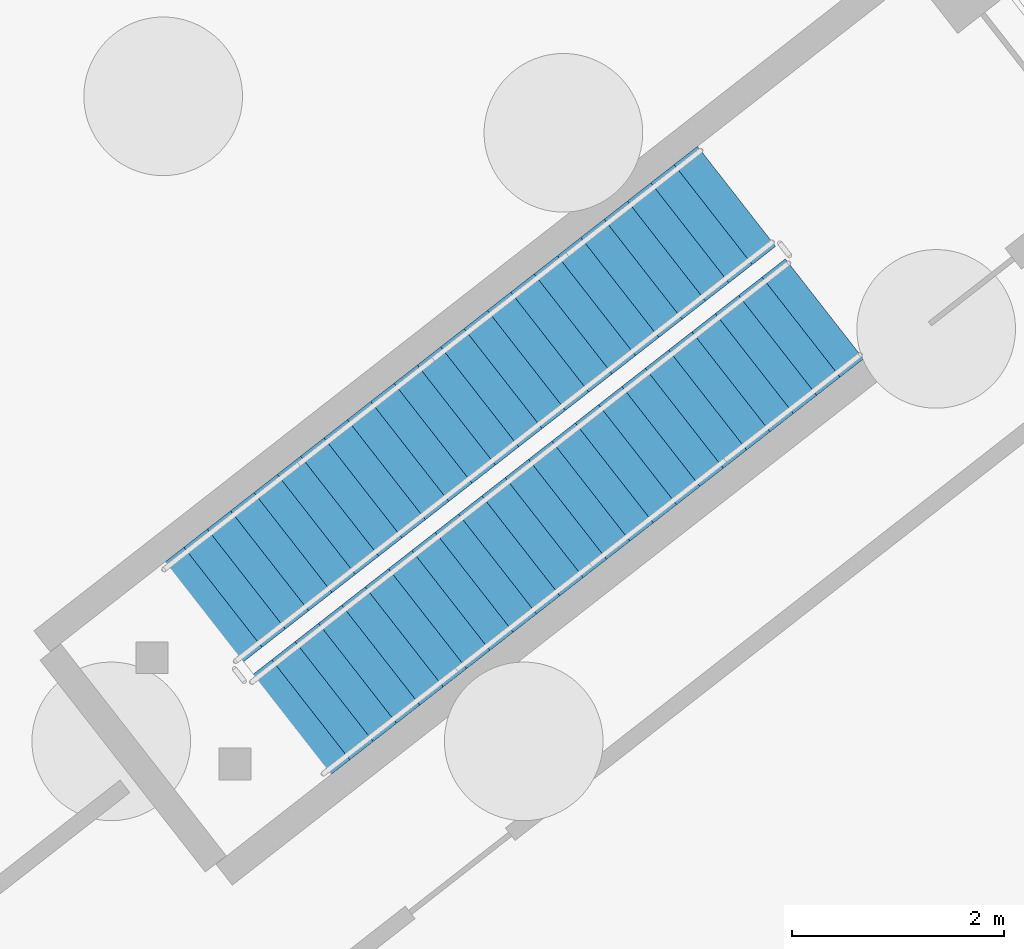
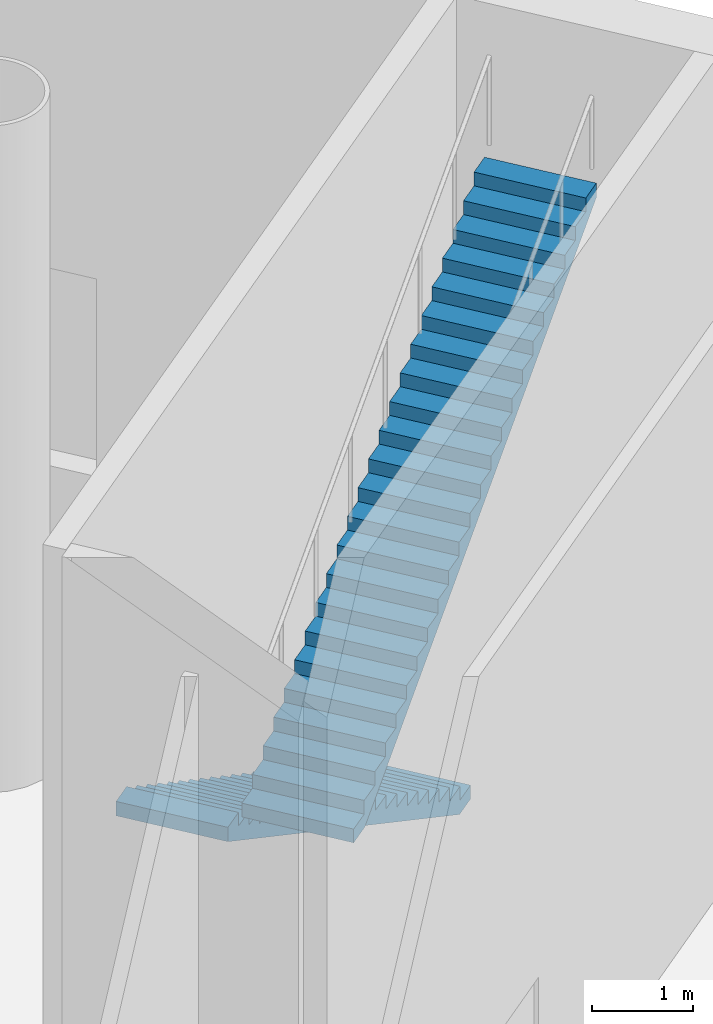
# One storey, part 27 of 34: 2 stair flights, 1 element without a shape of its own.
"""IFC4 building model written with IfcOpenShell, lengths in metres."""

import ifcopenshell
import ifcopenshell.guid

model = None  # the IFC model being written
_history = None  # IfcOwnerHistory: only IFC2X3 demands one
_inside = {}  # id of a spatial element -> (the spatial element, [elements in it])
_under = {}  # id of a project, library or spatial element -> (it, [spatial elements below it])
_declared = {}  # id of a project -> (the project, [libraries it declares])
_typed = {}  # id of a type object -> (the type object, [elements of that type])
_made_of = {}  # id of a material, layer set ... -> (it, [elements and type objects made of it])


def new_model(schema):
    """Start an empty IFC model of exactly this schema.

    Asked for "IFC4X3", IfcOpenShell would pick the latest addendum, in which some entities
    have other attributes; the version numbers below select the first issue.
    IFC2X3 requires an IfcOwnerHistory on every rooted entity: one is made here for all.
    """
    global model, _history
    if schema == "IFC4X3":
        model = ifcopenshell.file(schema_version=(4, 3, 0, 0))
    else:
        model = ifcopenshell.file(schema=schema)
    _inside.clear()
    _under.clear()
    _declared.clear()
    _typed.clear()
    _made_of.clear()
    _history = None
    if model.schema == "IFC2X3":
        org = make("IfcOrganization", Name="unknown")
        user = make(
            "IfcPersonAndOrganization",
            ThePerson=make("IfcPerson", FamilyName="unknown"),
            TheOrganization=org,
        )
        app = make(
            "IfcApplication",
            ApplicationDeveloper=org,
            Version="unknown",
            ApplicationFullName="unknown",
            ApplicationIdentifier="unknown",
        )
        _history = make(
            "IfcOwnerHistory",
            OwningUser=user,
            OwningApplication=app,
            ChangeAction="ADDED",
            CreationDate=0,
        )
    return model


def make(cls, **values):
    """One entity of the class cls with the attributes given. An attribute that is None is left unset."""
    return model.create_entity(
        cls, **{name: value for name, value in values.items() if value is not None}
    )


def rooted(cls, **values):
    """An entity with a GlobalId (a new one), such as an element, a storey or a relation."""
    return make(cls, GlobalId=ifcopenshell.guid.new(), OwnerHistory=_history, **values)


def si_unit(unit_type, name, prefix=None):
    """IfcSIUnit, for example si_unit("LENGTHUNIT", "METRE", prefix="MILLI")."""
    return make("IfcSIUnit", UnitType=unit_type, Prefix=prefix, Name=name)


def assignment(units):
    """IfcUnitAssignment: the units of a project."""
    return None if units is None else make("IfcUnitAssignment", Units=units)


def point(xyz):
    """IfcCartesianPoint."""
    return None if xyz is None else make("IfcCartesianPoint", Coordinates=xyz)


def direction(xyz):
    """IfcDirection."""
    return None if xyz is None else make("IfcDirection", DirectionRatios=xyz)


def frame(location, z_axis=None, x_axis=None):
    """IfcAxis2Placement3D, a coordinate frame: its origin and axes. An axis left out is left unset."""
    return make(
        "IfcAxis2Placement3D",
        Location=point(location),
        Axis=direction(z_axis),
        RefDirection=direction(x_axis),
    )


def origin():
    """The frame at (0, 0, 0) with its axes left unset."""
    return frame((0.0, 0.0, 0.0))


def place(relative_to, where):
    """IfcLocalPlacement: puts the frame where relative to a parent placement (None: the world)."""
    return make(
        "IfcLocalPlacement", PlacementRelTo=relative_to, RelativePlacement=where
    )


def context(
    kind, dimensions, precision=None, world=None, true_north=None, identifier=None
):
    """IfcGeometricRepresentationContext, for example the 3D "Model" context."""
    return make(
        "IfcGeometricRepresentationContext",
        ContextIdentifier=identifier,
        ContextType=kind,
        CoordinateSpaceDimension=dimensions,
        Precision=precision,
        WorldCoordinateSystem=world,
        TrueNorth=true_north,
    )


def subcontext(parent, identifier, kind, view, scale=None):
    """IfcGeometricRepresentationSubContext, for example "Body" below "Model"."""
    return make(
        "IfcGeometricRepresentationSubContext",
        ContextIdentifier=identifier,
        ContextType=kind,
        ParentContext=parent,
        TargetScale=scale,
        TargetView=view,
    )


def project(units=None, contexts=None):
    """IfcProject with its units and contexts."""
    return rooted(
        "IfcProject",
        Name="project",
        RepresentationContexts=contexts,
        UnitsInContext=assignment(units),
    )


def spatial(cls, under=None, at=None, **own):
    """A site, building, storey or space (cls), placed at a placement, below another one or the project."""
    s = rooted(cls, ObjectPlacement=at, **own)
    if under is not None:
        _under.setdefault(under.id(), (under, []))[1].append(s)
    return s


def faces_of(points, faces, orient=None, outer=None):
    """IfcFace entities. A face is a list of loops; a loop is a list of indices into points, from 0.

    orient and outer hold one flag for each loop. By default every Orientation is true, the
    first loop of a face is its IfcFaceOuterBound and the others are IfcFaceBound.
    """
    made = []
    for i, loops in enumerate(faces):
        bounds = []
        for j, loop in enumerate(loops):
            is_outer = j == 0 if outer is None else outer[i][j]
            bounds.append(
                make(
                    "IfcFaceOuterBound" if is_outer else "IfcFaceBound",
                    Bound=make("IfcPolyLoop", Polygon=[points[k] for k in loop]),
                    Orientation=True if orient is None else orient[i][j],
                )
            )
        made.append(make("IfcFace", Bounds=bounds))
    return made


def faceted_brep(points, faces, orient=None, outer=None, voids=None):
    """IfcFacetedBrep: a solid bounded by flat faces; with voids (closed shells), ...WithVoids."""
    shared = [point(p) for p in points]
    hull = make("IfcClosedShell", CfsFaces=faces_of(shared, faces, orient, outer))
    if voids is None:
        return make("IfcFacetedBrep", Outer=hull)
    return make(
        "IfcFacetedBrepWithVoids",
        Outer=hull,
        Voids=[
            make(cls, CfsFaces=faces_of(shared, fs, o, b)) for cls, fs, o, b in voids
        ],
    )


def shape(context_of_items, identifier, shape_type, items):
    """IfcShapeRepresentation: the items that make up one representation, for example the "Body"."""
    return make(
        "IfcShapeRepresentation",
        ContextOfItems=context_of_items,
        RepresentationIdentifier=identifier,
        RepresentationType=shape_type,
        Items=items,
    )


def material(Name=None, Category=None):
    """IfcMaterial."""
    return make("IfcMaterial", Name=Name, Category=Category)


def made_of(thing, what):
    """Note that an element or type object is made of a material, layer set ...; save() writes the relation."""
    if what is not None:
        _made_of.setdefault(what.id(), (what, []))[1].append(thing)
    return thing


def type_object(cls, material=None, **own):
    """A type object (cls), such as IfcWallType, which elements share."""
    return made_of(rooted(cls, **own), material)


def element(
    cls,
    number,
    at=None,
    inside=None,
    cuts=None,
    type_object=None,
    material=None,
    context=None,
    identifier="Body",
    shape_type=None,
    held_by="IfcProductDefinitionShape",
    body=None,
    shapes=None,
    **own,
):
    """One element of the class cls, such as IfcWall. Its Tag is "e" and its number.

    at: its placement. inside: the storey or other place that contains it. cuts: it is an
    opening in that element (IfcRelVoidsElement). A single representation is given by context,
    identifier, shape_type and body (its items); several are given by shapes. held_by: the class
    of the entity that holds the representations. save() writes the other relations.
    """
    e = rooted(cls, Tag="e%d" % number, ObjectPlacement=at, **own)
    if body is not None:
        shapes = [shape(context, identifier, shape_type, body)]
    if shapes is not None:
        e.Representation = make(held_by, Representations=shapes)
    if inside is not None:
        _inside.setdefault(inside.id(), (inside, []))[1].append(e)
    if cuts is not None:
        rooted(
            "IfcRelVoidsElement", RelatingBuildingElement=cuts, RelatedOpeningElement=e
        )
    if type_object is not None:
        _typed.setdefault(type_object.id(), (type_object, []))[1].append(e)
    return made_of(e, material)


def aggregate(whole, parts):
    """IfcRelAggregates: a whole, such as a stair, and the parts it consists of."""
    return rooted("IfcRelAggregates", RelatingObject=whole, RelatedObjects=parts)


def save(model, path):
    """Write the relations noted so far, then the file.

    IfcRelAggregates (storeys below a building ...), IfcRelContainedInSpatialStructure (elements
    in a storey), IfcRelDefinesByType, IfcRelAssociatesMaterial and IfcRelDeclares: one each for
    every whole, place, type object, material and project.
    """
    for whole, parts in _under.values():
        aggregate(whole, parts)
    for where, things in _inside.values():
        rooted(
            "IfcRelContainedInSpatialStructure",
            RelatedElements=things,
            RelatingStructure=where,
        )
    for kind, things in _typed.values():
        rooted("IfcRelDefinesByType", RelatedObjects=things, RelatingType=kind)
    for what, things in _made_of.values():
        rooted("IfcRelAssociatesMaterial", RelatedObjects=things, RelatingMaterial=what)
    for by, libraries in _declared.values():
        rooted("IfcRelDeclares", RelatingContext=by, RelatedDefinitions=libraries)
    model.write(path)


model = new_model("IFC4")

# Units and contexts
model_context = context("Model", 3, precision=1e-05, world=origin(), true_north=direction((0.0, 1.0)))
body_context = subcontext(model_context, "Body", "Model", "MODEL_VIEW")
ifc_project = project(units=[si_unit("LENGTHUNIT", "METRE"), si_unit("AREAUNIT", "SQUARE_METRE"), si_unit("VOLUMEUNIT", "CUBIC_METRE"), si_unit("PLANEANGLEUNIT", "RADIAN"), si_unit("MASSUNIT", "GRAM", prefix="KILO")], contexts=[model_context])

# Site, building, storey
site_placement = place(None, origin())
site = spatial("IfcSite", under=ifc_project, at=site_placement, CompositionType="ELEMENT")
building_placement = place(site_placement, origin())
building = spatial("IfcBuilding", under=site, at=building_placement, Name="Tarsis Ring Headquarters", CompositionType="ELEMENT")
storey_placement = place(building_placement, origin())
storey = spatial("IfcBuildingStorey", under=building, at=storey_placement, Name="L00", CompositionType="ELEMENT", Elevation=0.0)

# Stair, stair flights
ifc_material = material(Name="Concrete C40/50", Category="concrete")
stair_type = type_object("IfcStairType", Name="PO-ST", PredefinedType="HALF_TURN_STAIR", material=ifc_material)
stair_placement = place(storey_placement, origin())
stair = element("IfcStair", 1, at=stair_placement, inside=storey, type_object=stair_type, Name="L00 Podium stair", PredefinedType="HALF_TURN_STAIR")
stair_flight_type = type_object("IfcStairFlightType", Name="PO-STF", PredefinedType="STRAIGHT", material=ifc_material)
stair_flight_1_placement = place(storey_placement, frame((-17.48779296875, 48.052978515625, 0.0), z_axis=(0.0, 0.0, 1.0), x_axis=(-0.788276433435, -0.615321269331, 0.0)))
stair_flight_1 = element("IfcStairFlight", 2, at=stair_flight_1_placement, type_object=stair_flight_type, Name="Stair PS4 flight 1", NumberOfRisers=24, NumberOfTreads=23, PredefinedType="STRAIGHT", RiserHeight=0.166666667, TreadLength=0.28, context=body_context, shape_type="Brep", body=[
    faceted_brep([(0.0, 0.60009765625, 0.0), (0.0, 0.60009765625, 0.166748046875), (0.280029296875, 0.60009765625, 0.166748046875), (0.280029296875, 0.60009765625, 0.333251953125), (0.56005859375, 0.60009765625, 0.333251953125), (0.56005859375, 0.60009765625, 0.5), (0.840087890625, 0.60009765625, 0.5), (0.840087890625, 0.60009765625, 0.666748046875), (1.1201171875, 0.60009765625, 0.666748046875), (1.1201171875, 0.60009765625, 0.833251953125), (1.39990234375, 0.60009765625, 0.833251953125), (1.39990234375, 0.60009765625, 1.0), (1.679931640625, 0.60009765625, 1.0), (1.679931640625, 0.60009765625, 1.166748046875), (1.9599609375, 0.60009765625, 1.166748046875), (1.9599609375, 0.60009765625, 1.333251953125), (2.239990234375, 0.60009765625, 1.333251953125), (2.239990234375, 0.60009765625, 1.5), (2.52001953125, 0.60009765625, 1.5), (2.52001953125, 0.60009765625, 1.666748046875), (2.800048828125, 0.60009765625, 1.666748046875), (2.800048828125, 0.60009765625, 1.833251953125), (3.080078125, 0.60009765625, 1.833251953125), (3.080078125, 0.60009765625, 2.0), (3.360107421875, 0.60009765625, 2.0), (3.360107421875, 0.60009765625, 2.166748046875), (3.639892578125, 0.60009765625, 2.166748046875), (3.639892578125, 0.60009765625, 2.333251953125), (3.919921875, 0.60009765625, 2.333251953125), (3.919921875, 0.60009765625, 2.5), (4.199951171875, 0.60009765625, 2.5), (4.199951171875, 0.60009765625, 2.666748046875), (4.47998046875, 0.60009765625, 2.666748046875), (4.47998046875, 0.60009765625, 2.833251953125), (4.760009765625, 0.60009765625, 2.833251953125), (4.760009765625, 0.60009765625, 3.0), (5.0400390625, 0.60009765625, 3.0), (5.0400390625, 0.60009765625, 3.166748046875), (5.320068359375, 0.60009765625, 3.166748046875), (5.320068359375, 0.60009765625, 3.333251953125), (5.60009765625, 0.60009765625, 3.333251953125), (5.60009765625, 0.60009765625, 3.5), (5.8798828125, 0.60009765625, 3.5), (5.8798828125, 0.60009765625, 3.666748046875), (6.159912109375, 0.60009765625, 3.666748046875), (6.159912109375, 0.60009765625, 3.833251953125), (6.43994140625, 0.60009765625, 3.833251953125), (6.43994140625, 0.60009765625, 3.658935546875), (0.29296875, 0.60009765625, 0.0), (0.29296875, -0.60009765625, 0.0), (6.43994140625, -0.60009765625, 3.658935546875), (6.43994140625, -0.60009765625, 3.833251953125), (6.159912109375, -0.60009765625, 3.833251953125), (6.159912109375, -0.60009765625, 3.666748046875), (5.8798828125, -0.60009765625, 3.666748046875), (5.8798828125, -0.60009765625, 3.5), (5.60009765625, -0.60009765625, 3.5), (5.60009765625, -0.60009765625, 3.333251953125), (5.320068359375, -0.60009765625, 3.333251953125), (5.320068359375, -0.60009765625, 3.166748046875), (5.0400390625, -0.60009765625, 3.166748046875), (5.0400390625, -0.60009765625, 3.0), (4.760009765625, -0.60009765625, 3.0), (4.760009765625, -0.60009765625, 2.833251953125), (4.47998046875, -0.60009765625, 2.833251953125), (4.47998046875, -0.60009765625, 2.666748046875), (4.199951171875, -0.60009765625, 2.666748046875), (4.199951171875, -0.60009765625, 2.5), (3.919921875, -0.60009765625, 2.5), (3.919921875, -0.60009765625, 2.333251953125), (3.639892578125, -0.60009765625, 2.333251953125), (3.639892578125, -0.60009765625, 2.166748046875), (3.360107421875, -0.60009765625, 2.166748046875), (3.360107421875, -0.60009765625, 2.0), (3.080078125, -0.60009765625, 2.0), (3.080078125, -0.60009765625, 1.833251953125), (2.800048828125, -0.60009765625, 1.833251953125), (2.800048828125, -0.60009765625, 1.666748046875), (2.52001953125, -0.60009765625, 1.666748046875), (2.52001953125, -0.60009765625, 1.5), (2.239990234375, -0.60009765625, 1.5), (2.239990234375, -0.60009765625, 1.333251953125), (1.9599609375, -0.60009765625, 1.333251953125), (1.9599609375, -0.60009765625, 1.166748046875), (1.679931640625, -0.60009765625, 1.166748046875), (1.679931640625, -0.60009765625, 1.0), (1.39990234375, -0.60009765625, 1.0), (1.39990234375, -0.60009765625, 0.833251953125), (1.1201171875, -0.60009765625, 0.833251953125), (1.1201171875, -0.60009765625, 0.666748046875), (0.840087890625, -0.60009765625, 0.666748046875), (0.840087890625, -0.60009765625, 0.5), (0.56005859375, -0.60009765625, 0.5), (0.56005859375, -0.60009765625, 0.333251953125), (0.280029296875, -0.60009765625, 0.333251953125), (0.280029296875, -0.60009765625, 0.166748046875), (0.0, -0.60009765625, 0.166748046875), (0.0, -0.60009765625, 0.0), (0.0, -0.300048828125, 0.166748046875), (0.0, -0.300048828125, 0.0), (0.0, 0.0, 0.166748046875), (0.0, 0.0, 0.0), (0.0, 0.300048828125, 0.166748046875), (0.0, 0.300048828125, 0.0), (0.280029296875, -0.300048828125, 0.166748046875), (0.280029296875, 0.0, 0.166748046875), (0.280029296875, 0.300048828125, 0.166748046875), (0.280029296875, -0.300048828125, 0.333251953125), (0.280029296875, 0.0, 0.333251953125), (0.280029296875, 0.300048828125, 0.333251953125), (0.56005859375, -0.300048828125, 0.333251953125), (0.56005859375, 0.0, 0.333251953125), (0.56005859375, 0.300048828125, 0.333251953125), (0.56005859375, -0.300048828125, 0.5), (0.56005859375, 0.0, 0.5), (0.56005859375, 0.300048828125, 0.5), (0.840087890625, -0.300048828125, 0.5), (0.840087890625, 0.0, 0.5), (0.840087890625, 0.300048828125, 0.5), (0.840087890625, -0.300048828125, 0.666748046875), (0.840087890625, 0.0, 0.666748046875), (0.840087890625, 0.300048828125, 0.666748046875), (1.1201171875, -0.300048828125, 0.666748046875), (1.1201171875, 0.0, 0.666748046875), (1.1201171875, 0.300048828125, 0.666748046875), (1.1201171875, -0.300048828125, 0.833251953125), (1.1201171875, 0.0, 0.833251953125), (1.1201171875, 0.300048828125, 0.833251953125), (1.39990234375, -0.300048828125, 0.833251953125), (1.39990234375, 0.0, 0.833251953125), (1.39990234375, 0.300048828125, 0.833251953125), (1.39990234375, -0.300048828125, 1.0), (1.39990234375, 0.0, 1.0), (1.39990234375, 0.300048828125, 1.0), (1.679931640625, -0.300048828125, 1.0), (1.679931640625, 0.0, 1.0), (1.679931640625, 0.300048828125, 1.0), (1.679931640625, -0.300048828125, 1.166748046875), (1.679931640625, 0.0, 1.166748046875), (1.679931640625, 0.300048828125, 1.166748046875), (1.9599609375, -0.300048828125, 1.166748046875), (1.9599609375, 0.0, 1.166748046875), (1.9599609375, 0.300048828125, 1.166748046875), (1.9599609375, -0.300048828125, 1.333251953125), (1.9599609375, 0.0, 1.333251953125), (1.9599609375, 0.300048828125, 1.333251953125), (2.239990234375, -0.300048828125, 1.333251953125), (2.239990234375, 0.0, 1.333251953125), (2.239990234375, 0.300048828125, 1.333251953125), (2.239990234375, -0.300048828125, 1.5), (2.239990234375, 0.0, 1.5), (2.239990234375, 0.300048828125, 1.5), (2.52001953125, -0.300048828125, 1.5), (2.52001953125, 0.0, 1.5), (2.52001953125, 0.300048828125, 1.5), (2.52001953125, -0.300048828125, 1.666748046875), (2.52001953125, 0.0, 1.666748046875), (2.52001953125, 0.300048828125, 1.666748046875), (2.800048828125, -0.300048828125, 1.666748046875), (2.800048828125, 0.0, 1.666748046875), (2.800048828125, 0.300048828125, 1.666748046875), (2.800048828125, -0.300048828125, 1.833251953125), (2.800048828125, 0.0, 1.833251953125), (2.800048828125, 0.300048828125, 1.833251953125), (3.080078125, -0.300048828125, 1.833251953125), (3.080078125, 0.0, 1.833251953125), (3.080078125, 0.300048828125, 1.833251953125), (3.080078125, -0.300048828125, 2.0), (3.080078125, 0.0, 2.0), (3.080078125, 0.300048828125, 2.0), (3.360107421875, -0.300048828125, 2.0), (3.360107421875, 0.0, 2.0), (3.360107421875, 0.300048828125, 2.0), (3.360107421875, -0.300048828125, 2.166748046875), (3.360107421875, 0.0, 2.166748046875), (3.360107421875, 0.300048828125, 2.166748046875), (3.639892578125, -0.300048828125, 2.166748046875), (3.639892578125, 0.0, 2.166748046875), (3.639892578125, 0.300048828125, 2.166748046875), (3.639892578125, -0.300048828125, 2.333251953125), (3.639892578125, 0.0, 2.333251953125), (3.639892578125, 0.300048828125, 2.333251953125), (3.919921875, -0.300048828125, 2.333251953125), (3.919921875, 0.0, 2.333251953125), (3.919921875, 0.300048828125, 2.333251953125), (3.919921875, -0.300048828125, 2.5), (3.919921875, 0.0, 2.5), (3.919921875, 0.300048828125, 2.5), (4.199951171875, -0.300048828125, 2.5), (4.199951171875, 0.0, 2.5), (4.199951171875, 0.300048828125, 2.5), (4.199951171875, -0.300048828125, 2.666748046875), (4.199951171875, 0.0, 2.666748046875), (4.199951171875, 0.300048828125, 2.666748046875), (4.47998046875, -0.300048828125, 2.666748046875), (4.47998046875, 0.0, 2.666748046875), (4.47998046875, 0.300048828125, 2.666748046875), (4.47998046875, -0.300048828125, 2.833251953125), (4.47998046875, 0.0, 2.833251953125), (4.47998046875, 0.300048828125, 2.833251953125), (4.760009765625, -0.300048828125, 2.833251953125), (4.760009765625, 0.0, 2.833251953125), (4.760009765625, 0.300048828125, 2.833251953125), (4.760009765625, -0.300048828125, 3.0), (4.760009765625, 0.0, 3.0), (4.760009765625, 0.300048828125, 3.0), (5.0400390625, -0.300048828125, 3.0), (5.0400390625, 0.0, 3.0), (5.0400390625, 0.300048828125, 3.0), (5.0400390625, -0.300048828125, 3.166748046875), (5.0400390625, 0.0, 3.166748046875), (5.0400390625, 0.300048828125, 3.166748046875), (5.320068359375, -0.300048828125, 3.166748046875), (5.320068359375, 0.0, 3.166748046875), (5.320068359375, 0.300048828125, 3.166748046875), (5.320068359375, -0.300048828125, 3.333251953125), (5.320068359375, 0.0, 3.333251953125), (5.320068359375, 0.300048828125, 3.333251953125), (5.60009765625, -0.300048828125, 3.333251953125), (5.60009765625, 0.0, 3.333251953125), (5.60009765625, 0.300048828125, 3.333251953125), (5.60009765625, -0.300048828125, 3.5), (5.60009765625, 0.0, 3.5), (5.60009765625, 0.300048828125, 3.5), (5.8798828125, -0.300048828125, 3.5), (5.8798828125, 0.0, 3.5), (5.8798828125, 0.300048828125, 3.5), (5.8798828125, -0.300048828125, 3.666748046875), (5.8798828125, 0.0, 3.666748046875), (5.8798828125, 0.300048828125, 3.666748046875), (6.159912109375, -0.300048828125, 3.666748046875), (6.159912109375, 0.0, 3.666748046875), (6.159912109375, 0.300048828125, 3.666748046875), (6.159912109375, -0.300048828125, 3.833251953125), (6.159912109375, 0.0, 3.833251953125), (6.159912109375, 0.300048828125, 3.833251953125), (6.43994140625, -0.300048828125, 3.833251953125), (6.43994140625, 0.0, 3.833251953125), (6.43994140625, 0.300048828125, 3.833251953125), (6.43994140625, -0.300048828125, 3.658935546875), (6.43994140625, 0.0, 3.658935546875), (6.43994140625, 0.300048828125, 3.658935546875), (0.29296875, -0.300048828125, 0.0), (0.29296875, 0.0, 0.0), (0.29296875, 0.300048828125, 0.0)], [[[0, 1, 2, 3, 4, 5, 6, 7, 8, 9, 10, 11, 12, 13, 14, 15, 16, 17, 18, 19, 20, 21, 22, 23, 24, 25, 26, 27, 28, 29, 30, 31, 32, 33, 34, 35, 36, 37, 38, 39, 40, 41, 42, 43, 44, 45, 46, 47, 48]], [[49, 50, 51, 52, 53, 54, 55, 56, 57, 58, 59, 60, 61, 62, 63, 64, 65, 66, 67, 68, 69, 70, 71, 72, 73, 74, 75, 76, 77, 78, 79, 80, 81, 82, 83, 84, 85, 86, 87, 88, 89, 90, 91, 92, 93, 94, 95, 96, 97]], [[97, 96, 98, 99]], [[99, 98, 100, 101]], [[101, 100, 102, 103]], [[103, 102, 1, 0]], [[96, 95, 104, 98]], [[98, 104, 105, 100]], [[100, 105, 106, 102]], [[102, 106, 2, 1]], [[95, 94, 107, 104]], [[104, 107, 108, 105]], [[105, 108, 109, 106]], [[106, 109, 3, 2]], [[94, 93, 110, 107]], [[107, 110, 111, 108]], [[108, 111, 112, 109]], [[109, 112, 4, 3]], [[93, 92, 113, 110]], [[110, 113, 114, 111]], [[111, 114, 115, 112]], [[112, 115, 5, 4]], [[92, 91, 116, 113]], [[113, 116, 117, 114]], [[114, 117, 118, 115]], [[115, 118, 6, 5]], [[91, 90, 119, 116]], [[116, 119, 120, 117]], [[117, 120, 121, 118]], [[118, 121, 7, 6]], [[90, 89, 122, 119]], [[119, 122, 123, 120]], [[120, 123, 124, 121]], [[121, 124, 8, 7]], [[89, 88, 125, 122]], [[122, 125, 126, 123]], [[123, 126, 127, 124]], [[124, 127, 9, 8]], [[88, 87, 128, 125]], [[125, 128, 129, 126]], [[126, 129, 130, 127]], [[127, 130, 10, 9]], [[87, 86, 131, 128]], [[128, 131, 132, 129]], [[129, 132, 133, 130]], [[130, 133, 11, 10]], [[86, 85, 134, 131]], [[131, 134, 135, 132]], [[132, 135, 136, 133]], [[133, 136, 12, 11]], [[85, 84, 137, 134]], [[134, 137, 138, 135]], [[135, 138, 139, 136]], [[136, 139, 13, 12]], [[84, 83, 140, 137]], [[137, 140, 141, 138]], [[138, 141, 142, 139]], [[139, 142, 14, 13]], [[83, 82, 143, 140]], [[140, 143, 144, 141]], [[141, 144, 145, 142]], [[142, 145, 15, 14]], [[82, 81, 146, 143]], [[143, 146, 147, 144]], [[144, 147, 148, 145]], [[145, 148, 16, 15]], [[81, 80, 149, 146]], [[146, 149, 150, 147]], [[147, 150, 151, 148]], [[148, 151, 17, 16]], [[80, 79, 152, 149]], [[149, 152, 153, 150]], [[150, 153, 154, 151]], [[151, 154, 18, 17]], [[79, 78, 155, 152]], [[152, 155, 156, 153]], [[153, 156, 157, 154]], [[154, 157, 19, 18]], [[78, 77, 158, 155]], [[155, 158, 159, 156]], [[156, 159, 160, 157]], [[157, 160, 20, 19]], [[77, 76, 161, 158]], [[158, 161, 162, 159]], [[159, 162, 163, 160]], [[160, 163, 21, 20]], [[76, 75, 164, 161]], [[161, 164, 165, 162]], [[162, 165, 166, 163]], [[163, 166, 22, 21]], [[75, 74, 167, 164]], [[164, 167, 168, 165]], [[165, 168, 169, 166]], [[166, 169, 23, 22]], [[74, 73, 170, 167]], [[167, 170, 171, 168]], [[168, 171, 172, 169]], [[169, 172, 24, 23]], [[73, 72, 173, 170]], [[170, 173, 174, 171]], [[171, 174, 175, 172]], [[172, 175, 25, 24]], [[72, 71, 176, 173]], [[173, 176, 177, 174]], [[174, 177, 178, 175]], [[175, 178, 26, 25]], [[71, 70, 179, 176]], [[176, 179, 180, 177]], [[177, 180, 181, 178]], [[178, 181, 27, 26]], [[70, 69, 182, 179]], [[179, 182, 183, 180]], [[180, 183, 184, 181]], [[181, 184, 28, 27]], [[69, 68, 185, 182]], [[182, 185, 186, 183]], [[183, 186, 187, 184]], [[184, 187, 29, 28]], [[68, 67, 188, 185]], [[185, 188, 189, 186]], [[186, 189, 190, 187]], [[187, 190, 30, 29]], [[67, 66, 191, 188]], [[188, 191, 192, 189]], [[189, 192, 193, 190]], [[190, 193, 31, 30]], [[66, 65, 194, 191]], [[191, 194, 195, 192]], [[192, 195, 196, 193]], [[193, 196, 32, 31]], [[65, 64, 197, 194]], [[194, 197, 198, 195]], [[195, 198, 199, 196]], [[196, 199, 33, 32]], [[64, 63, 200, 197]], [[197, 200, 201, 198]], [[198, 201, 202, 199]], [[199, 202, 34, 33]], [[63, 62, 203, 200]], [[200, 203, 204, 201]], [[201, 204, 205, 202]], [[202, 205, 35, 34]], [[62, 61, 206, 203]], [[203, 206, 207, 204]], [[204, 207, 208, 205]], [[205, 208, 36, 35]], [[61, 60, 209, 206]], [[206, 209, 210, 207]], [[207, 210, 211, 208]], [[208, 211, 37, 36]], [[60, 59, 212, 209]], [[209, 212, 213, 210]], [[210, 213, 214, 211]], [[211, 214, 38, 37]], [[59, 58, 215, 212]], [[212, 215, 216, 213]], [[213, 216, 217, 214]], [[214, 217, 39, 38]], [[58, 57, 218, 215]], [[215, 218, 219, 216]], [[216, 219, 220, 217]], [[217, 220, 40, 39]], [[57, 56, 221, 218]], [[218, 221, 222, 219]], [[219, 222, 223, 220]], [[220, 223, 41, 40]], [[56, 55, 224, 221]], [[221, 224, 225, 222]], [[222, 225, 226, 223]], [[223, 226, 42, 41]], [[55, 54, 227, 224]], [[224, 227, 228, 225]], [[225, 228, 229, 226]], [[226, 229, 43, 42]], [[54, 53, 230, 227]], [[227, 230, 231, 228]], [[228, 231, 232, 229]], [[229, 232, 44, 43]], [[53, 52, 233, 230]], [[230, 233, 234, 231]], [[231, 234, 235, 232]], [[232, 235, 45, 44]], [[52, 51, 236, 233]], [[233, 236, 237, 234]], [[234, 237, 238, 235]], [[235, 238, 46, 45]], [[51, 50, 239, 236]], [[236, 239, 240, 237]], [[237, 240, 241, 238]], [[238, 241, 47, 46]], [[50, 49, 242, 239]], [[239, 242, 243, 240]], [[240, 243, 244, 241]], [[241, 244, 48, 47]], [[49, 97, 99, 242]], [[242, 99, 101, 243]], [[243, 101, 103, 244]], [[244, 103, 0, 48]]]),
])
stair_flight_2_placement = place(storey_placement, frame((-21.733642578125, 43.026123046875, 4.0), z_axis=(0.0, 0.0, 1.0), x_axis=(0.788276433435, 0.615321269331, 0.0)))
stair_flight_2 = element("IfcStairFlight", 3, at=stair_flight_2_placement, type_object=stair_flight_type, Name="Stair PS4 flight 2", NumberOfRisers=24, NumberOfTreads=23, PredefinedType="STRAIGHT", RiserHeight=0.166666667, TreadLength=0.28, context=body_context, shape_type="Brep", body=[
    faceted_brep([(0.0, 0.60009765625, 0.0), (0.0, 0.60009765625, 0.166748046875), (0.280029296875, 0.60009765625, 0.166748046875), (0.280029296875, 0.60009765625, 0.333251953125), (0.56005859375, 0.60009765625, 0.333251953125), (0.56005859375, 0.60009765625, 0.5), (0.840087890625, 0.60009765625, 0.5), (0.840087890625, 0.60009765625, 0.666748046875), (1.1201171875, 0.60009765625, 0.666748046875), (1.1201171875, 0.60009765625, 0.833251953125), (1.39990234375, 0.60009765625, 0.833251953125), (1.39990234375, 0.60009765625, 1.0), (1.679931640625, 0.60009765625, 1.0), (1.679931640625, 0.60009765625, 1.166748046875), (1.9599609375, 0.60009765625, 1.166748046875), (1.9599609375, 0.60009765625, 1.333251953125), (2.239990234375, 0.60009765625, 1.333251953125), (2.239990234375, 0.60009765625, 1.5), (2.52001953125, 0.60009765625, 1.5), (2.52001953125, 0.60009765625, 1.666748046875), (2.800048828125, 0.60009765625, 1.666748046875), (2.800048828125, 0.60009765625, 1.833251953125), (3.080078125, 0.60009765625, 1.833251953125), (3.080078125, 0.60009765625, 2.0), (3.360107421875, 0.60009765625, 2.0), (3.360107421875, 0.60009765625, 2.166748046875), (3.639892578125, 0.60009765625, 2.166748046875), (3.639892578125, 0.60009765625, 2.333251953125), (3.919921875, 0.60009765625, 2.333251953125), (3.919921875, 0.60009765625, 2.5), (4.199951171875, 0.60009765625, 2.5), (4.199951171875, 0.60009765625, 2.666748046875), (4.47998046875, 0.60009765625, 2.666748046875), (4.47998046875, 0.60009765625, 2.833251953125), (4.760009765625, 0.60009765625, 2.833251953125), (4.760009765625, 0.60009765625, 3.0), (5.0400390625, 0.60009765625, 3.0), (5.0400390625, 0.60009765625, 3.166748046875), (5.320068359375, 0.60009765625, 3.166748046875), (5.320068359375, 0.60009765625, 3.333251953125), (5.60009765625, 0.60009765625, 3.333251953125), (5.60009765625, 0.60009765625, 3.5), (5.8798828125, 0.60009765625, 3.5), (5.8798828125, 0.60009765625, 3.666748046875), (6.159912109375, 0.60009765625, 3.666748046875), (6.159912109375, 0.60009765625, 3.833251953125), (6.43994140625, 0.60009765625, 3.833251953125), (6.43994140625, 0.60009765625, 3.658935546875), (0.29296875, 0.60009765625, 0.0), (0.29296875, -0.60009765625, 0.0), (6.43994140625, -0.60009765625, 3.658935546875), (6.43994140625, -0.60009765625, 3.833251953125), (6.159912109375, -0.60009765625, 3.833251953125), (6.159912109375, -0.60009765625, 3.666748046875), (5.8798828125, -0.60009765625, 3.666748046875), (5.8798828125, -0.60009765625, 3.5), (5.60009765625, -0.60009765625, 3.5), (5.60009765625, -0.60009765625, 3.333251953125), (5.320068359375, -0.60009765625, 3.333251953125), (5.320068359375, -0.60009765625, 3.166748046875), (5.0400390625, -0.60009765625, 3.166748046875), (5.0400390625, -0.60009765625, 3.0), (4.760009765625, -0.60009765625, 3.0), (4.760009765625, -0.60009765625, 2.833251953125), (4.47998046875, -0.60009765625, 2.833251953125), (4.47998046875, -0.60009765625, 2.666748046875), (4.199951171875, -0.60009765625, 2.666748046875), (4.199951171875, -0.60009765625, 2.5), (3.919921875, -0.60009765625, 2.5), (3.919921875, -0.60009765625, 2.333251953125), (3.639892578125, -0.60009765625, 2.333251953125), (3.639892578125, -0.60009765625, 2.166748046875), (3.360107421875, -0.60009765625, 2.166748046875), (3.360107421875, -0.60009765625, 2.0), (3.080078125, -0.60009765625, 2.0), (3.080078125, -0.60009765625, 1.833251953125), (2.800048828125, -0.60009765625, 1.833251953125), (2.800048828125, -0.60009765625, 1.666748046875), (2.52001953125, -0.60009765625, 1.666748046875), (2.52001953125, -0.60009765625, 1.5), (2.239990234375, -0.60009765625, 1.5), (2.239990234375, -0.60009765625, 1.333251953125), (1.9599609375, -0.60009765625, 1.333251953125), (1.9599609375, -0.60009765625, 1.166748046875), (1.679931640625, -0.60009765625, 1.166748046875), (1.679931640625, -0.60009765625, 1.0), (1.39990234375, -0.60009765625, 1.0), (1.39990234375, -0.60009765625, 0.833251953125), (1.1201171875, -0.60009765625, 0.833251953125), (1.1201171875, -0.60009765625, 0.666748046875), (0.840087890625, -0.60009765625, 0.666748046875), (0.840087890625, -0.60009765625, 0.5), (0.56005859375, -0.60009765625, 0.5), (0.56005859375, -0.60009765625, 0.333251953125), (0.280029296875, -0.60009765625, 0.333251953125), (0.280029296875, -0.60009765625, 0.166748046875), (0.0, -0.60009765625, 0.166748046875), (0.0, -0.60009765625, 0.0), (0.0, -0.300048828125, 0.166748046875), (0.0, -0.300048828125, 0.0), (0.0, 0.0, 0.166748046875), (0.0, 0.0, 0.0), (0.0, 0.300048828125, 0.166748046875), (0.0, 0.300048828125, 0.0), (0.280029296875, -0.300048828125, 0.166748046875), (0.280029296875, 0.0, 0.166748046875), (0.280029296875, 0.300048828125, 0.166748046875), (0.280029296875, -0.300048828125, 0.333251953125), (0.280029296875, 0.0, 0.333251953125), (0.280029296875, 0.300048828125, 0.333251953125), (0.56005859375, -0.300048828125, 0.333251953125), (0.56005859375, 0.0, 0.333251953125), (0.56005859375, 0.300048828125, 0.333251953125), (0.56005859375, -0.300048828125, 0.5), (0.56005859375, 0.0, 0.5), (0.56005859375, 0.300048828125, 0.5), (0.840087890625, -0.300048828125, 0.5), (0.840087890625, 0.0, 0.5), (0.840087890625, 0.300048828125, 0.5), (0.840087890625, -0.300048828125, 0.666748046875), (0.840087890625, 0.0, 0.666748046875), (0.840087890625, 0.300048828125, 0.666748046875), (1.1201171875, -0.300048828125, 0.666748046875), (1.1201171875, 0.0, 0.666748046875), (1.1201171875, 0.300048828125, 0.666748046875), (1.1201171875, -0.300048828125, 0.833251953125), (1.1201171875, 0.0, 0.833251953125), (1.1201171875, 0.300048828125, 0.833251953125), (1.39990234375, -0.300048828125, 0.833251953125), (1.39990234375, 0.0, 0.833251953125), (1.39990234375, 0.300048828125, 0.833251953125), (1.39990234375, -0.300048828125, 1.0), (1.39990234375, 0.0, 1.0), (1.39990234375, 0.300048828125, 1.0), (1.679931640625, -0.300048828125, 1.0), (1.679931640625, 0.0, 1.0), (1.679931640625, 0.300048828125, 1.0), (1.679931640625, -0.300048828125, 1.166748046875), (1.679931640625, 0.0, 1.166748046875), (1.679931640625, 0.300048828125, 1.166748046875), (1.9599609375, -0.300048828125, 1.166748046875), (1.9599609375, 0.0, 1.166748046875), (1.9599609375, 0.300048828125, 1.166748046875), (1.9599609375, -0.300048828125, 1.333251953125), (1.9599609375, 0.0, 1.333251953125), (1.9599609375, 0.300048828125, 1.333251953125), (2.239990234375, -0.300048828125, 1.333251953125), (2.239990234375, 0.0, 1.333251953125), (2.239990234375, 0.300048828125, 1.333251953125), (2.239990234375, -0.300048828125, 1.5), (2.239990234375, 0.0, 1.5), (2.239990234375, 0.300048828125, 1.5), (2.52001953125, -0.300048828125, 1.5), (2.52001953125, 0.0, 1.5), (2.52001953125, 0.300048828125, 1.5), (2.52001953125, -0.300048828125, 1.666748046875), (2.52001953125, 0.0, 1.666748046875), (2.52001953125, 0.300048828125, 1.666748046875), (2.800048828125, -0.300048828125, 1.666748046875), (2.800048828125, 0.0, 1.666748046875), (2.800048828125, 0.300048828125, 1.666748046875), (2.800048828125, -0.300048828125, 1.833251953125), (2.800048828125, 0.0, 1.833251953125), (2.800048828125, 0.300048828125, 1.833251953125), (3.080078125, -0.300048828125, 1.833251953125), (3.080078125, 0.0, 1.833251953125), (3.080078125, 0.300048828125, 1.833251953125), (3.080078125, -0.300048828125, 2.0), (3.080078125, 0.0, 2.0), (3.080078125, 0.300048828125, 2.0), (3.360107421875, -0.300048828125, 2.0), (3.360107421875, 0.0, 2.0), (3.360107421875, 0.300048828125, 2.0), (3.360107421875, -0.300048828125, 2.166748046875), (3.360107421875, 0.0, 2.166748046875), (3.360107421875, 0.300048828125, 2.166748046875), (3.639892578125, -0.300048828125, 2.166748046875), (3.639892578125, 0.0, 2.166748046875), (3.639892578125, 0.300048828125, 2.166748046875), (3.639892578125, -0.300048828125, 2.333251953125), (3.639892578125, 0.0, 2.333251953125), (3.639892578125, 0.300048828125, 2.333251953125), (3.919921875, -0.300048828125, 2.333251953125), (3.919921875, 0.0, 2.333251953125), (3.919921875, 0.300048828125, 2.333251953125), (3.919921875, -0.300048828125, 2.5), (3.919921875, 0.0, 2.5), (3.919921875, 0.300048828125, 2.5), (4.199951171875, -0.300048828125, 2.5), (4.199951171875, 0.0, 2.5), (4.199951171875, 0.300048828125, 2.5), (4.199951171875, -0.300048828125, 2.666748046875), (4.199951171875, 0.0, 2.666748046875), (4.199951171875, 0.300048828125, 2.666748046875), (4.47998046875, -0.300048828125, 2.666748046875), (4.47998046875, 0.0, 2.666748046875), (4.47998046875, 0.300048828125, 2.666748046875), (4.47998046875, -0.300048828125, 2.833251953125), (4.47998046875, 0.0, 2.833251953125), (4.47998046875, 0.300048828125, 2.833251953125), (4.760009765625, -0.300048828125, 2.833251953125), (4.760009765625, 0.0, 2.833251953125), (4.760009765625, 0.300048828125, 2.833251953125), (4.760009765625, -0.300048828125, 3.0), (4.760009765625, 0.0, 3.0), (4.760009765625, 0.300048828125, 3.0), (5.0400390625, -0.300048828125, 3.0), (5.0400390625, 0.0, 3.0), (5.0400390625, 0.300048828125, 3.0), (5.0400390625, -0.300048828125, 3.166748046875), (5.0400390625, 0.0, 3.166748046875), (5.0400390625, 0.300048828125, 3.166748046875), (5.320068359375, -0.300048828125, 3.166748046875), (5.320068359375, 0.0, 3.166748046875), (5.320068359375, 0.300048828125, 3.166748046875), (5.320068359375, -0.300048828125, 3.333251953125), (5.320068359375, 0.0, 3.333251953125), (5.320068359375, 0.300048828125, 3.333251953125), (5.60009765625, -0.300048828125, 3.333251953125), (5.60009765625, 0.0, 3.333251953125), (5.60009765625, 0.300048828125, 3.333251953125), (5.60009765625, -0.300048828125, 3.5), (5.60009765625, 0.0, 3.5), (5.60009765625, 0.300048828125, 3.5), (5.8798828125, -0.300048828125, 3.5), (5.8798828125, 0.0, 3.5), (5.8798828125, 0.300048828125, 3.5), (5.8798828125, -0.300048828125, 3.666748046875), (5.8798828125, 0.0, 3.666748046875), (5.8798828125, 0.300048828125, 3.666748046875), (6.159912109375, -0.300048828125, 3.666748046875), (6.159912109375, 0.0, 3.666748046875), (6.159912109375, 0.300048828125, 3.666748046875), (6.159912109375, -0.300048828125, 3.833251953125), (6.159912109375, 0.0, 3.833251953125), (6.159912109375, 0.300048828125, 3.833251953125), (6.43994140625, -0.300048828125, 3.833251953125), (6.43994140625, 0.0, 3.833251953125), (6.43994140625, 0.300048828125, 3.833251953125), (6.43994140625, -0.300048828125, 3.658935546875), (6.43994140625, 0.0, 3.658935546875), (6.43994140625, 0.300048828125, 3.658935546875), (0.29296875, -0.300048828125, 0.0), (0.29296875, 0.0, 0.0), (0.29296875, 0.300048828125, 0.0)], [[[0, 1, 2, 3, 4, 5, 6, 7, 8, 9, 10, 11, 12, 13, 14, 15, 16, 17, 18, 19, 20, 21, 22, 23, 24, 25, 26, 27, 28, 29, 30, 31, 32, 33, 34, 35, 36, 37, 38, 39, 40, 41, 42, 43, 44, 45, 46, 47, 48]], [[49, 50, 51, 52, 53, 54, 55, 56, 57, 58, 59, 60, 61, 62, 63, 64, 65, 66, 67, 68, 69, 70, 71, 72, 73, 74, 75, 76, 77, 78, 79, 80, 81, 82, 83, 84, 85, 86, 87, 88, 89, 90, 91, 92, 93, 94, 95, 96, 97]], [[97, 96, 98, 99]], [[99, 98, 100, 101]], [[101, 100, 102, 103]], [[103, 102, 1, 0]], [[96, 95, 104, 98]], [[98, 104, 105, 100]], [[100, 105, 106, 102]], [[102, 106, 2, 1]], [[95, 94, 107, 104]], [[104, 107, 108, 105]], [[105, 108, 109, 106]], [[106, 109, 3, 2]], [[94, 93, 110, 107]], [[107, 110, 111, 108]], [[108, 111, 112, 109]], [[109, 112, 4, 3]], [[93, 92, 113, 110]], [[110, 113, 114, 111]], [[111, 114, 115, 112]], [[112, 115, 5, 4]], [[92, 91, 116, 113]], [[113, 116, 117, 114]], [[114, 117, 118, 115]], [[115, 118, 6, 5]], [[91, 90, 119, 116]], [[116, 119, 120, 117]], [[117, 120, 121, 118]], [[118, 121, 7, 6]], [[90, 89, 122, 119]], [[119, 122, 123, 120]], [[120, 123, 124, 121]], [[121, 124, 8, 7]], [[89, 88, 125, 122]], [[122, 125, 126, 123]], [[123, 126, 127, 124]], [[124, 127, 9, 8]], [[88, 87, 128, 125]], [[125, 128, 129, 126]], [[126, 129, 130, 127]], [[127, 130, 10, 9]], [[87, 86, 131, 128]], [[128, 131, 132, 129]], [[129, 132, 133, 130]], [[130, 133, 11, 10]], [[86, 85, 134, 131]], [[131, 134, 135, 132]], [[132, 135, 136, 133]], [[133, 136, 12, 11]], [[85, 84, 137, 134]], [[134, 137, 138, 135]], [[135, 138, 139, 136]], [[136, 139, 13, 12]], [[84, 83, 140, 137]], [[137, 140, 141, 138]], [[138, 141, 142, 139]], [[139, 142, 14, 13]], [[83, 82, 143, 140]], [[140, 143, 144, 141]], [[141, 144, 145, 142]], [[142, 145, 15, 14]], [[82, 81, 146, 143]], [[143, 146, 147, 144]], [[144, 147, 148, 145]], [[145, 148, 16, 15]], [[81, 80, 149, 146]], [[146, 149, 150, 147]], [[147, 150, 151, 148]], [[148, 151, 17, 16]], [[80, 79, 152, 149]], [[149, 152, 153, 150]], [[150, 153, 154, 151]], [[151, 154, 18, 17]], [[79, 78, 155, 152]], [[152, 155, 156, 153]], [[153, 156, 157, 154]], [[154, 157, 19, 18]], [[78, 77, 158, 155]], [[155, 158, 159, 156]], [[156, 159, 160, 157]], [[157, 160, 20, 19]], [[77, 76, 161, 158]], [[158, 161, 162, 159]], [[159, 162, 163, 160]], [[160, 163, 21, 20]], [[76, 75, 164, 161]], [[161, 164, 165, 162]], [[162, 165, 166, 163]], [[163, 166, 22, 21]], [[75, 74, 167, 164]], [[164, 167, 168, 165]], [[165, 168, 169, 166]], [[166, 169, 23, 22]], [[74, 73, 170, 167]], [[167, 170, 171, 168]], [[168, 171, 172, 169]], [[169, 172, 24, 23]], [[73, 72, 173, 170]], [[170, 173, 174, 171]], [[171, 174, 175, 172]], [[172, 175, 25, 24]], [[72, 71, 176, 173]], [[173, 176, 177, 174]], [[174, 177, 178, 175]], [[175, 178, 26, 25]], [[71, 70, 179, 176]], [[176, 179, 180, 177]], [[177, 180, 181, 178]], [[178, 181, 27, 26]], [[70, 69, 182, 179]], [[179, 182, 183, 180]], [[180, 183, 184, 181]], [[181, 184, 28, 27]], [[69, 68, 185, 182]], [[182, 185, 186, 183]], [[183, 186, 187, 184]], [[184, 187, 29, 28]], [[68, 67, 188, 185]], [[185, 188, 189, 186]], [[186, 189, 190, 187]], [[187, 190, 30, 29]], [[67, 66, 191, 188]], [[188, 191, 192, 189]], [[189, 192, 193, 190]], [[190, 193, 31, 30]], [[66, 65, 194, 191]], [[191, 194, 195, 192]], [[192, 195, 196, 193]], [[193, 196, 32, 31]], [[65, 64, 197, 194]], [[194, 197, 198, 195]], [[195, 198, 199, 196]], [[196, 199, 33, 32]], [[64, 63, 200, 197]], [[197, 200, 201, 198]], [[198, 201, 202, 199]], [[199, 202, 34, 33]], [[63, 62, 203, 200]], [[200, 203, 204, 201]], [[201, 204, 205, 202]], [[202, 205, 35, 34]], [[62, 61, 206, 203]], [[203, 206, 207, 204]], [[204, 207, 208, 205]], [[205, 208, 36, 35]], [[61, 60, 209, 206]], [[206, 209, 210, 207]], [[207, 210, 211, 208]], [[208, 211, 37, 36]], [[60, 59, 212, 209]], [[209, 212, 213, 210]], [[210, 213, 214, 211]], [[211, 214, 38, 37]], [[59, 58, 215, 212]], [[212, 215, 216, 213]], [[213, 216, 217, 214]], [[214, 217, 39, 38]], [[58, 57, 218, 215]], [[215, 218, 219, 216]], [[216, 219, 220, 217]], [[217, 220, 40, 39]], [[57, 56, 221, 218]], [[218, 221, 222, 219]], [[219, 222, 223, 220]], [[220, 223, 41, 40]], [[56, 55, 224, 221]], [[221, 224, 225, 222]], [[222, 225, 226, 223]], [[223, 226, 42, 41]], [[55, 54, 227, 224]], [[224, 227, 228, 225]], [[225, 228, 229, 226]], [[226, 229, 43, 42]], [[54, 53, 230, 227]], [[227, 230, 231, 228]], [[228, 231, 232, 229]], [[229, 232, 44, 43]], [[53, 52, 233, 230]], [[230, 233, 234, 231]], [[231, 234, 235, 232]], [[232, 235, 45, 44]], [[52, 51, 236, 233]], [[233, 236, 237, 234]], [[234, 237, 238, 235]], [[235, 238, 46, 45]], [[51, 50, 239, 236]], [[236, 239, 240, 237]], [[237, 240, 241, 238]], [[238, 241, 47, 46]], [[50, 49, 242, 239]], [[239, 242, 243, 240]], [[240, 243, 244, 241]], [[241, 244, 48, 47]], [[49, 97, 99, 242]], [[242, 99, 101, 243]], [[243, 101, 103, 244]], [[244, 103, 0, 48]]]),
])
aggregate(stair, [stair_flight_1, stair_flight_2])

save(model, "model.ifc")
